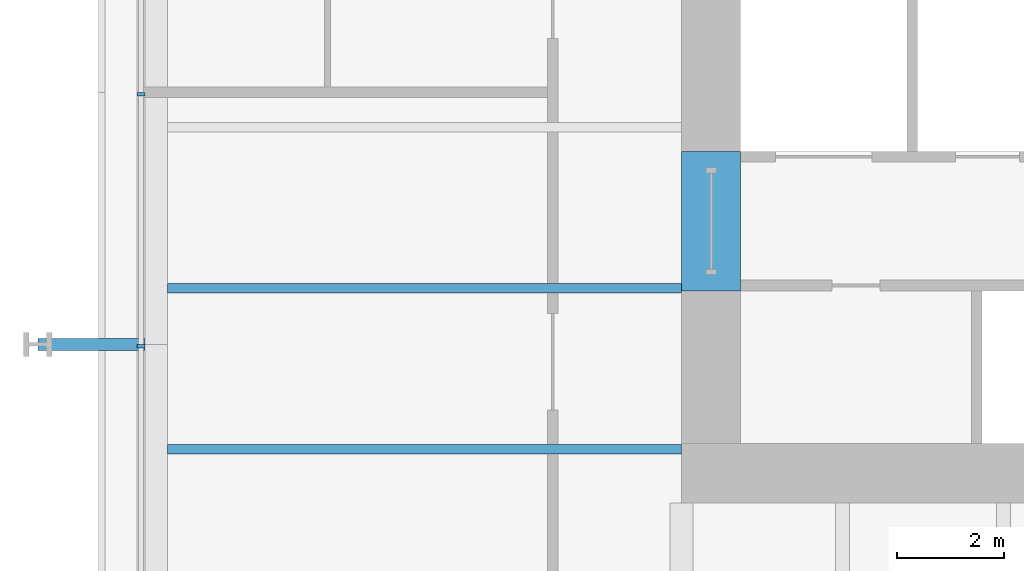
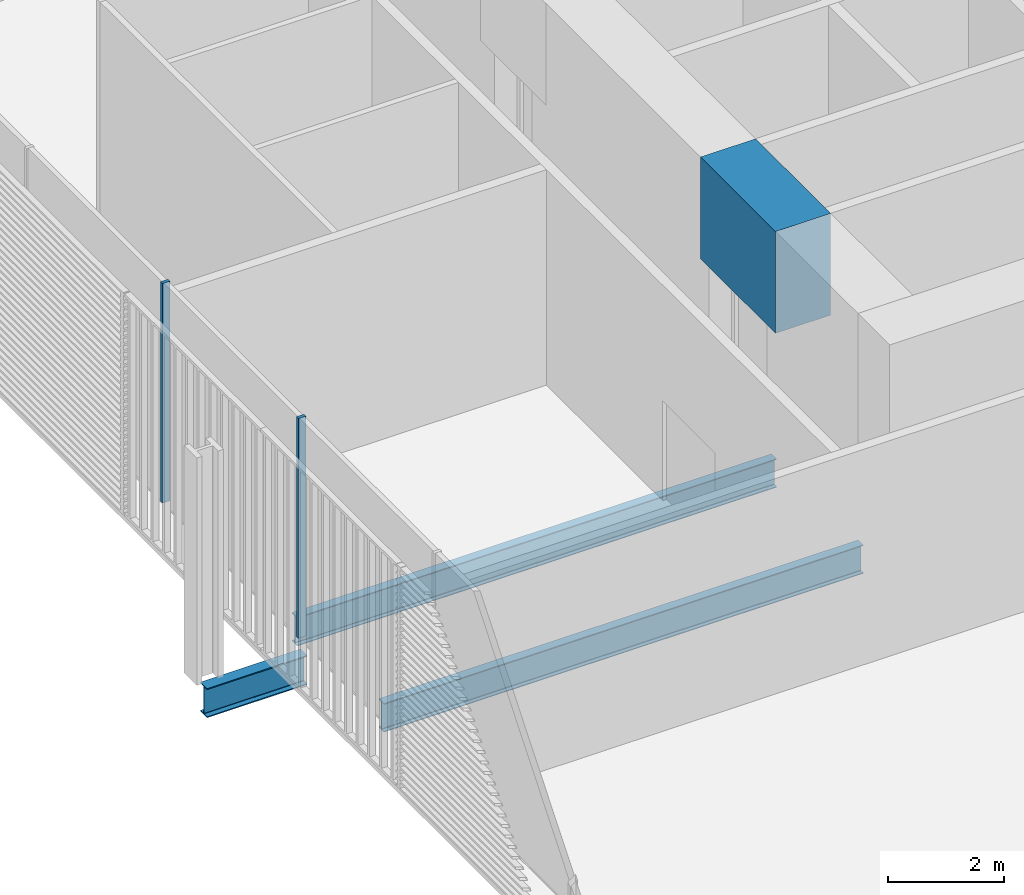
# One storey, part 5 of 22: 4 beams, 2 members, 1 element without a shape of its own.
"""IFC4 building model written with IfcOpenShell, lengths in metres."""

from ifc_helpers import new_model, si_unit, direction, frame, origin, origin_2d, place, context, subcontext, project, spatial, rectangle, i_section, extrude, material, layer, layer_set, material_profile, profile_set, type_object, element, aggregate, save


model = new_model("IFC4")

# Units and contexts
model_context = context("Model", 3, precision=1e-05, world=origin(), true_north=direction((0.0, 1.0)))
body_context = subcontext(model_context, "Body", "Model", "MODEL_VIEW")
ifc_project = project(units=[si_unit("LENGTHUNIT", "METRE"), si_unit("AREAUNIT", "SQUARE_METRE"), si_unit("VOLUMEUNIT", "CUBIC_METRE"), si_unit("PLANEANGLEUNIT", "RADIAN"), si_unit("MASSUNIT", "GRAM", prefix="KILO")], contexts=[model_context])

# Site, building, storey
site_placement = place(None, origin())
site = spatial("IfcSite", under=ifc_project, at=site_placement, CompositionType="ELEMENT")
building_placement = place(site_placement, origin())
building = spatial("IfcBuilding", under=site, at=building_placement, Name="Millrace Tower", CompositionType="ELEMENT")
storey_placement = place(building_placement, frame((0.0, 0.0, 59.300048828125)))
storey = spatial("IfcBuildingStorey", under=building, at=storey_placement, Name="L13", CompositionType="ELEMENT", Elevation=59.300048828125)

# Curtain wall, members
ifc_material_1 = material(Name="Aluminium and glass", Category="aluminium")
ifc_layer = layer(ifc_material_1, 0.14990234375)
ifc_layer_set = layer_set([ifc_layer], Name="Aluminium and glass")
curtain_wall_type = type_object("IfcCurtainWallType", Name="CW-2 data hall insulated curtain wall", PredefinedType="NOTDEFINED", material=ifc_layer_set)
curtain_wall_placement = place(storey_placement, origin())
curtain_wall = element("IfcCurtainWall", 1, at=curtain_wall_placement, inside=storey, type_object=curtain_wall_type, Name="Curtain wall A-F08 L13", PredefinedType="NOTDEFINED")
ifc_material_2 = material(Name="Aluminium", Category="aluminium")
ifc_material_profile_1 = material_profile(ifc_material_2, rectangle(XDim=0.06494140625, YDim=0.14990234375, at=origin_2d()))
ifc_profile_set_1 = profile_set([ifc_material_profile_1], Name="Aluminium")
member_type = type_object("IfcMemberType", Name="CW-2 data hall insulated curtain wall mullion", PredefinedType="MULLION", material=ifc_profile_set_1)
member_1_placement = place(storey_placement, frame((-25.074951171875, -2.382568359375, 0.159912109375), z_axis=(0.0, 0.0, 1.0), x_axis=(0.0, -1.0, 0.0)))
member_1 = element("IfcMember", 2, at=member_1_placement, type_object=member_type, Name="CW2 mullion A-F08.6", PredefinedType="MULLION", context=body_context, shape_type="SweptSolid", body=[
    extrude(rectangle(XDim=0.06494140625, YDim=0.14990234375, at=origin_2d()), origin(), (0.0, 0.0, 1.0), 4.64013671875),
])
member_2_placement = place(storey_placement, frame((-25.074951171875, -7.08251953125, 0.159912109375), z_axis=(0.0, 0.0, 1.0), x_axis=(0.0, -1.0, 0.0)))
member_2 = element("IfcMember", 3, at=member_2_placement, type_object=member_type, Name="CW2 mullion A-F08.7", PredefinedType="MULLION", context=body_context, shape_type="SweptSolid", body=[
    extrude(rectangle(XDim=0.06494140625, YDim=0.14990234375, at=origin_2d()), origin(), (0.0, 0.0, 1.0), 4.64013671875),
])
aggregate(curtain_wall, [member_1, member_2])

# Beams
ifc_material_3 = material(Name="Concrete C80", Category="concrete")
ifc_material_profile_2 = material_profile(ifc_material_3, rectangle(XDim=1.10009765625, YDim=2.14990234375, at=origin_2d()))
ifc_profile_set_2 = profile_set([ifc_material_profile_2], Name="Concrete C80")
beam_type_1 = type_object("IfcBeamType", Name="Coupling beam 1100 x 2150 Concrete C80, 2000 opening", PredefinedType="BEAM", material=ifc_profile_set_2)
beam_1_placement = place(storey_placement, frame((-14.449951171875, -6.050048828125, 3.474853515625), z_axis=(0.0, 1.0, 0.0), x_axis=(-1.0, 0.0, 0.0)))
element("IfcBeam", 4, at=beam_1_placement, inside=storey, type_object=beam_type_1, Name="Coupling beam W L13", PredefinedType="BEAM", context=body_context, shape_type="SweptSolid", body=[
    extrude(rectangle(XDim=1.10009765625, YDim=2.14990234375, at=origin_2d()), origin(), (0.0, 0.0, 1.0), 2.60009765625),
])
ifc_material_4 = material(Name="Steel ASTM A992 Grade 50", Category="steel")
ifc_material_profile_3 = material_profile(ifc_material_4, i_section(OverallWidth=0.1787109375, OverallDepth=0.60205078125, WebThickness=0.010986328125, FlangeThickness=0.014892578125, FilletRadius=0.0126953125, at=origin_2d()))
ifc_profile_set_3 = profile_set([ifc_material_profile_3], Name="Steel ASTM A992 Grade 50")
beam_type_2 = type_object("IfcBeamType", Name="Floor beam W24x62", PredefinedType="JOIST", material=ifc_profile_set_3)
for number, where, z_axis, x_axis, name in (
    (5, (-24.578369140625, -9.0, -0.526123046875), (1.0, 0.0, 0.0), (0.0, 1.0, 0.0), "BM-A-L13-S1-S012"),
    (6, (-24.578369140625, -6.0, -0.526123046875), (1.0, 0.0, 0.0), (0.0, 1.0, 0.0), "BM-A-L13-S1-S015"),
):
    element("IfcBeam", number, at=place(storey_placement, frame(where, z_axis=z_axis, x_axis=x_axis)), inside=storey, type_object=beam_type_2, Name=name, PredefinedType="JOIST", context=body_context, shape_type="SweptSolid", body=[
        extrude(i_section(OverallWidth=0.1787109375, OverallDepth=0.60205078125, WebThickness=0.010986328125, FlangeThickness=0.014892578125, FilletRadius=0.0126953125, at=origin_2d()), origin(), (0.0, 0.0, 1.0), 9.578369140625),
    ])
ifc_material_5 = material(Name="Steel ASTM A992 Grade 50", Category="steel")
ifc_material_profile_4 = material_profile(ifc_material_5, i_section(OverallWidth=0.23046875, OverallDepth=0.6171875, WebThickness=0.01318359375, FlangeThickness=0.022216796875, FilletRadius=0.012939453125, at=origin_2d()))
ifc_profile_set_4 = profile_set([ifc_material_profile_4], Name="Steel ASTM A992 Grade 50")
beam_type_3 = type_object("IfcBeamType", Name="Link beam W24x94", PredefinedType="BEAM", material=ifc_profile_set_4)
beam_2_placement = place(storey_placement, frame((-25.0, -7.050048828125, -0.53369140625), z_axis=(-1.0, 0.0, 0.0), x_axis=(0.0, -1.0, 0.0)))
element("IfcBeam", 7, at=beam_2_placement, inside=storey, type_object=beam_type_3, Name="LNK-A-L13-S1-02", PredefinedType="BEAM", context=body_context, shape_type="SweptSolid", body=[
    extrude(i_section(OverallWidth=0.23046875, OverallDepth=0.6171875, WebThickness=0.01318359375, FlangeThickness=0.022216796875, FilletRadius=0.012939453125, at=origin_2d()), origin(), (0.0, 0.0, 1.0), 2.0),
])

save(model, "model.ifc")
